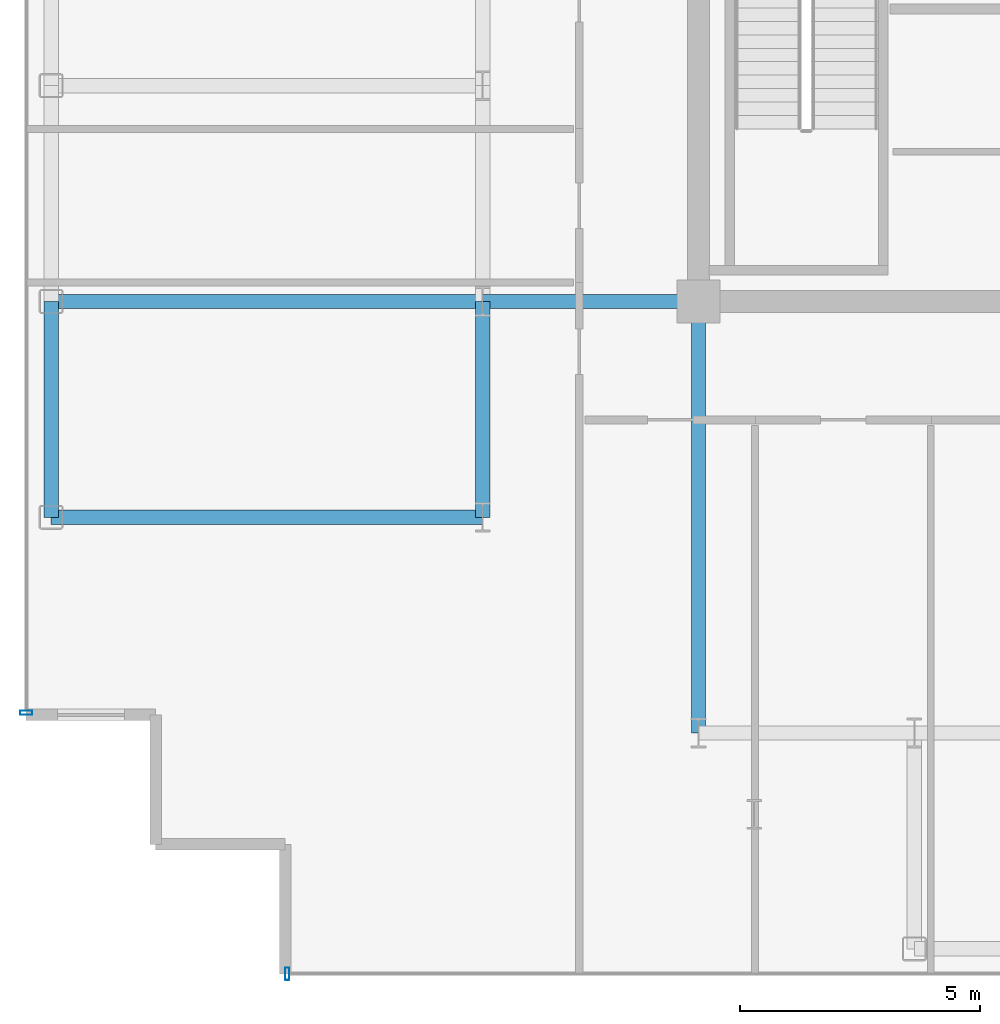
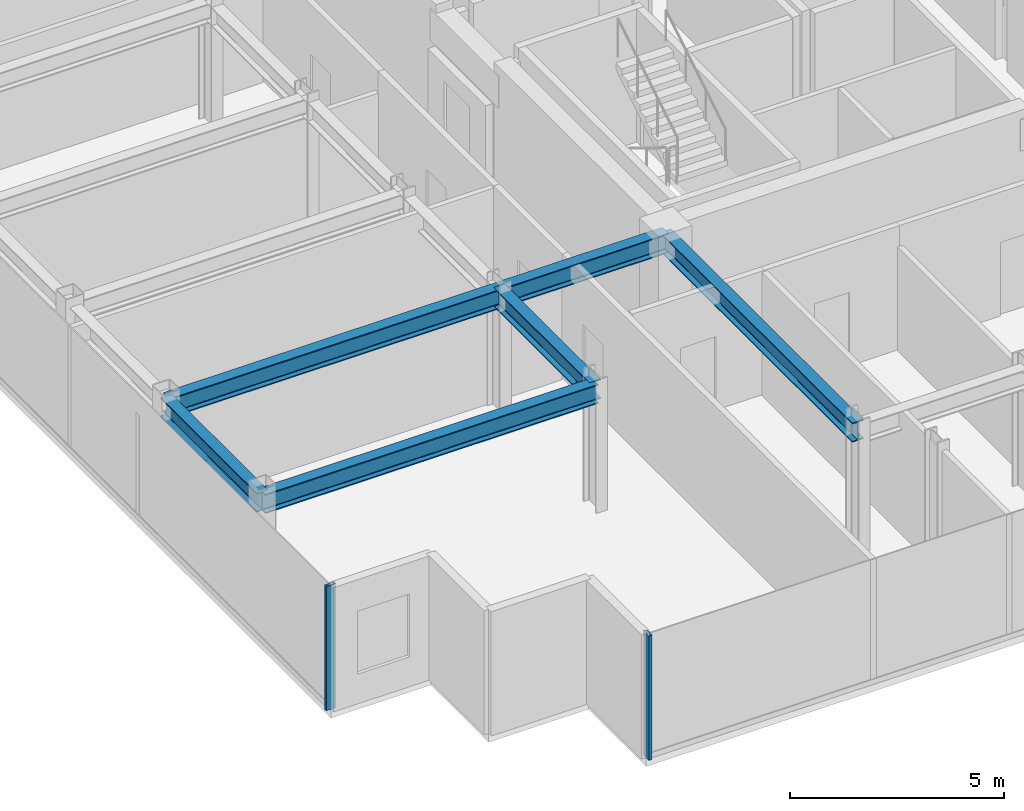
# One storey, part 2 of 18: 6 beams, 2 members, 2 elements without a shape of their own.
"""IFC4 building model written with IfcOpenShell, lengths in metres."""

from ifc_helpers import new_model, si_unit, direction, frame, origin, origin_2d, place, context, subcontext, project, spatial, hollow_rectangle, i_section, extrude, source, transform, mapped, material, layer, layer_set, material_profile, profile_set, type_object, element, aggregate, save


model = new_model("IFC4")

# Units and contexts
model_context = context("Model", 3, precision=1e-05, world=origin(), true_north=direction((0.0, 1.0)))
body_context = subcontext(model_context, "Body", "Model", "MODEL_VIEW")
ifc_project = project(units=[si_unit("LENGTHUNIT", "METRE"), si_unit("AREAUNIT", "SQUARE_METRE"), si_unit("VOLUMEUNIT", "CUBIC_METRE"), si_unit("PLANEANGLEUNIT", "RADIAN"), si_unit("MASSUNIT", "GRAM", prefix="KILO")], contexts=[model_context])

# Site, building, storey
site_placement = place(None, origin())
site = spatial("IfcSite", under=ifc_project, at=site_placement, CompositionType="ELEMENT")
building_placement = place(site_placement, origin())
building = spatial("IfcBuilding", under=site, at=building_placement, Name="Nefas-Gora Pilgrimage Tower", CompositionType="ELEMENT")
storey_placement = place(building_placement, frame((0.0, 0.0, 302.60009765625)))
storey = spatial("IfcBuildingStorey", under=building, at=storey_placement, Name="L76", CompositionType="ELEMENT", Elevation=302.60009765625)

# Beams
ifc_material_1 = material(Name="Steel S355", Category="steel")
ifc_material_profile_1 = material_profile(ifc_material_1, i_section(OverallWidth=0.300048828125, OverallDepth=0.550048828125, WebThickness=0.014892578125, FlangeThickness=0.029052734375, FilletRadius=0.027099609375, at=origin_2d()), Name="HEB 550")
ifc_profile_set_1 = profile_set([ifc_material_profile_1], Name="Steel S355")
beam_type_1 = type_object("IfcBeamType", Name="BM-SPN-HEB400", PredefinedType="SPANDREL", material=ifc_profile_set_1)
shared_shape_1 = source(origin(), body_context, "Body", "SweptSolid", [
    extrude(i_section(OverallWidth=0.300048828125, OverallDepth=0.550048828125, WebThickness=0.014892578125, FlangeThickness=0.029052734375, FilletRadius=0.027099609375, at=origin_2d()), origin(), (0.0, 0.0, 1.0), 4.5),
])
beam_placement = place(storey_placement, frame((-24.75, -13.5, 3.27490234375), z_axis=(0.0, 1.0, 0.0), x_axis=(-1.0, 0.0, 0.0)))
element("IfcBeam", 1, at=beam_placement, inside=storey, type_object=beam_type_1, Name="L76 SP-04 beam", PredefinedType="SPANDREL", context=body_context, shape_type="MappedRepresentation", body=[
    mapped(shared_shape_1, transform((0.0, 0.0, 0.0), x_axis=(1.0, 0.0, 0.0), y_axis=(0.0, 1.0, 0.0), z_axis=(0.0, 0.0, 1.0), scale=1.0)),
])
ifc_material_profile_2 = material_profile(ifc_material_1, i_section(OverallWidth=0.300048828125, OverallDepth=0.550048828125, WebThickness=0.014892578125, FlangeThickness=0.029052734375, FilletRadius=0.027099609375, at=origin_2d()), Name="HEB 550")
ifc_profile_set_2 = profile_set([ifc_material_profile_2], Name="Steel S355")
beam_type_2 = type_object("IfcBeamType", Name="BM-GIR-HEB550", PredefinedType="BEAM", material=ifc_profile_set_2)
shared_shape_2 = source(origin(), body_context, "Body", "SweptSolid", [
    extrude(i_section(OverallWidth=0.300048828125, OverallDepth=0.550048828125, WebThickness=0.014892578125, FlangeThickness=0.029052734375, FilletRadius=0.027099609375, at=origin_2d()), origin(), (0.0, 0.0, 1.0), 9.0),
])
for number, where, z_axis, x_axis, name in (
    (2, (-24.75, -13.5, 3.27490234375), (1.0, 0.0, 0.0), (0.0, 1.0, 0.0), "L76 G-05 beam"),
    (3, (-24.75, -9.0, 3.27490234375), (1.0, 0.0, 0.0), (0.0, 1.0, 0.0), "L76 G-05 beam"),
    (4, (-11.25, -18.0, 3.27490234375), (0.0, 1.0, 0.0), (-1.0, 0.0, 0.0), "L76 G-05 beam"),
):
    element("IfcBeam", number, at=place(storey_placement, frame(where, z_axis=z_axis, x_axis=x_axis)), inside=storey, type_object=beam_type_2, Name=name, PredefinedType="BEAM", context=body_context, shape_type="MappedRepresentation", body=[
        mapped(shared_shape_2, transform((0.0, 0.0, 0.0), x_axis=(1.0, 0.0, 0.0), y_axis=(0.0, 1.0, 0.0), z_axis=(0.0, 0.0, 1.0), scale=1.0)),
    ])
shared_shape_3 = source(origin(), body_context, "Body", "SweptSolid", [
    extrude(i_section(OverallWidth=0.300048828125, OverallDepth=0.550048828125, WebThickness=0.014892578125, FlangeThickness=0.029052734375, FilletRadius=0.027099609375, at=origin_2d()), origin(), (0.0, 0.0, 1.0), 4.5),
])
for number, where, z_axis, x_axis, name in (
    (5, (-15.75, -13.5, 3.27490234375), (0.0, 1.0, 0.0), (-1.0, 0.0, 0.0), "L76 G-05 beam"),
    (6, (-15.75, -9.0, 3.27490234375), (1.0, 0.0, 0.0), (0.0, 1.0, 0.0), "L76 G-05 beam"),
):
    element("IfcBeam", number, at=place(storey_placement, frame(where, z_axis=z_axis, x_axis=x_axis)), inside=storey, type_object=beam_type_2, Name=name, PredefinedType="BEAM", context=body_context, shape_type="MappedRepresentation", body=[
        mapped(shared_shape_3, transform((0.0, 0.0, 0.0), x_axis=(1.0, 0.0, 0.0), y_axis=(0.0, 1.0, 0.0), z_axis=(0.0, 0.0, 1.0), scale=1.0)),
    ])

# Curtain wall, member
ifc_material_2 = material(Name="Dark ceramic-fritted solar-control aluminium-glass curtain wall", Category="aluminium")
ifc_layer = layer(ifc_material_2, 0.219970703125)
ifc_layer_set = layer_set([ifc_layer], Name="Dark ceramic-fritted solar-control aluminium-glass curtain wall")
curtain_wall_type = type_object("IfcCurtainWallType", Name="CW-SYS-4", PredefinedType="NOTDEFINED", material=ifc_layer_set)
curtain_wall_1_placement = place(storey_placement, origin())
curtain_wall_1 = element("IfcCurtainWall", 7, at=curtain_wall_1_placement, inside=storey, type_object=curtain_wall_type, Name="L76 Unitised Curtain Wall CW4", PredefinedType="NOTDEFINED")
ifc_material_3 = material(Name="Anodised architectural aluminium", Category="aluminium")
ifc_material_profile_3 = material_profile(ifc_material_3, hollow_rectangle(XDim=0.090087890625, YDim=0.260009765625, WallThickness=0.006103515625, InnerFilletRadius=0.006103515625, OuterFilletRadius=0.011962890625, at=origin_2d()), Name="ALU MULLION 90x260")
ifc_profile_set_3 = profile_set([ifc_material_profile_3], Name="Anodised architectural aluminium")
member_type = type_object("IfcMemberType", Name="CWM-MUL-4", PredefinedType="MULLION", material=ifc_profile_set_3)
shared_shape_4 = source(origin(), body_context, "Body", "SweptSolid", [
    extrude(hollow_rectangle(XDim=0.090087890625, YDim=0.260009765625, WallThickness=0.006103515625, InnerFilletRadius=0.006103515625, OuterFilletRadius=0.011962890625, at=origin_2d()), origin(), (0.0, 0.0, 1.0), 3.5498046875),
])
member_1_placement = place(storey_placement, frame((-25.27001953125, -17.574951171875, 0.0), z_axis=(0.0, 0.0, 1.0), x_axis=(0.0, -1.0, 0.0)))
member_1 = element("IfcMember", 8, at=member_1_placement, type_object=member_type, Name="CW4 Mullion 3", PredefinedType="MULLION", context=body_context, shape_type="MappedRepresentation", body=[
    mapped(shared_shape_4, transform((0.0, 0.0, 0.0), x_axis=(1.0, 0.0, 0.0), y_axis=(0.0, 1.0, 0.0), z_axis=(0.0, 0.0, 1.0), scale=1.0)),
])
aggregate(curtain_wall_1, [member_1])

curtain_wall_2_placement = place(storey_placement, origin())
curtain_wall_2 = element("IfcCurtainWall", 9, at=curtain_wall_2_placement, inside=storey, type_object=curtain_wall_type, Name="L76 Unitised Curtain Wall CW4", PredefinedType="NOTDEFINED")
member_2_placement = place(storey_placement, frame((-19.824951171875, -23.02001953125, 0.0), z_axis=(0.0, 0.0, 1.0), x_axis=(1.0, 0.0, 0.0)))
member_2 = element("IfcMember", 10, at=member_2_placement, type_object=member_type, Name="CW4 Mullion 1", PredefinedType="MULLION", context=body_context, shape_type="MappedRepresentation", body=[
    mapped(shared_shape_4, transform((0.0, 0.0, 0.0), x_axis=(1.0, 0.0, 0.0), y_axis=(0.0, 1.0, 0.0), z_axis=(0.0, 0.0, 1.0), scale=1.0)),
])
aggregate(curtain_wall_2, [member_2])

save(model, "model.ifc")
